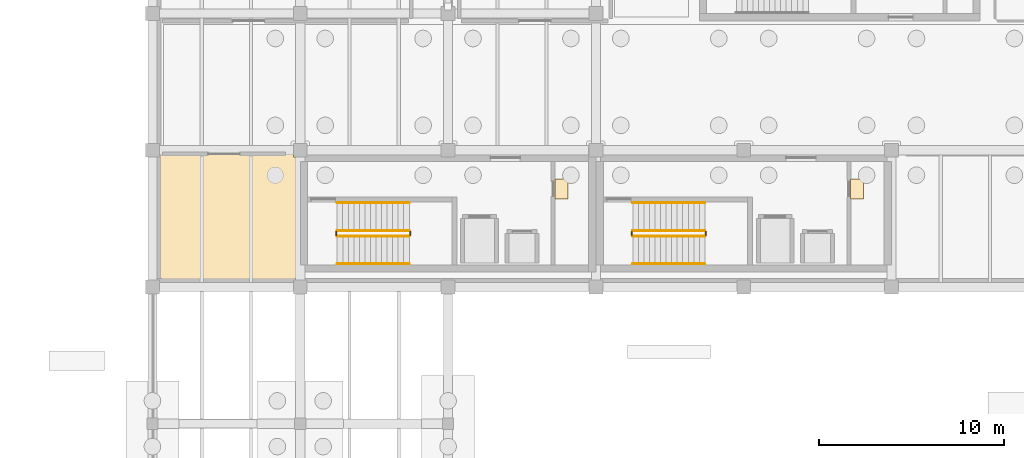
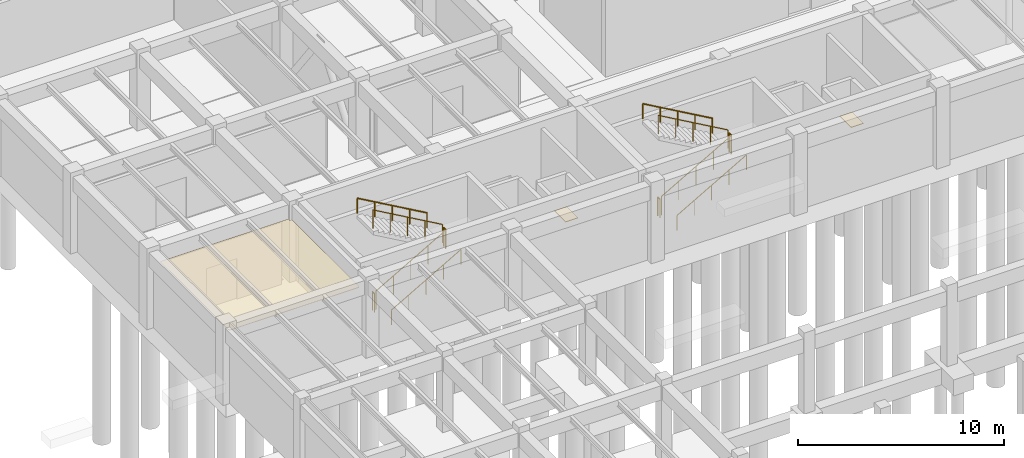
# One storey, part 28 of 40: 12 railings, 3 coverings.
"""IFC4 building model written with IfcOpenShell, lengths in metres."""

from ifc_helpers import new_model, si_unit, direction, frame, origin, origin_2d, place, context, subcontext, project, spatial, polyline, circle, outline, extrude, material, layer, layer_set, type_object, element, save


model = new_model("IFC4")

# Units and contexts
model_context = context("Model", 3, precision=1e-05, world=origin(), true_north=direction((0.0, 1.0)))
body_context = subcontext(model_context, "Body", "Model", "MODEL_VIEW")
ifc_project = project(units=[si_unit("LENGTHUNIT", "METRE"), si_unit("AREAUNIT", "SQUARE_METRE"), si_unit("VOLUMEUNIT", "CUBIC_METRE"), si_unit("PLANEANGLEUNIT", "RADIAN"), si_unit("MASSUNIT", "GRAM", prefix="KILO")], contexts=[model_context])

# Site, building, storey
site_placement = place(None, origin())
site = spatial("IfcSite", under=ifc_project, at=site_placement, CompositionType="ELEMENT")
building_placement = place(site_placement, origin())
building = spatial("IfcBuilding", under=site, at=building_placement, Name="Valkorina Park Police Headquarters", CompositionType="ELEMENT")
storey_placement = place(building_placement, frame((0.0, 0.0, -4.800048828125)))
storey = spatial("IfcBuildingStorey", under=building, at=storey_placement, Name="B01", CompositionType="ELEMENT", Elevation=-4.800048828125)

# Coverings
ifc_material_1 = material(Name="Acoustic mineral board")
ifc_layer_1 = layer(ifc_material_1, 0.02490234375)
ifc_layer_set_1 = layer_set([ifc_layer_1], Name="Acoustic mineral board")
covering_type_1 = type_object("IfcCoveringType", Name="COV-CEILING-ACOUST", PredefinedType="CEILING", material=ifc_layer_set_1)
covering_1_placement = place(storey_placement, frame((0.0, 0.0, 3.6650390625)))
element("IfcCovering", 1, at=covering_1_placement, inside=storey, type_object=covering_type_1, Name="Main Electrical Substation Acoustic Suspended Ceiling", PredefinedType="CEILING", context=body_context, shape_type="SweptSolid", body=[
    extrude(outline(polyline([(16.55859375, 37.50439453125), (16.5595703125, 37.51220703125), (16.56005859375, 37.52001953125), (16.56005859375, 43.985107421875), (16.5595703125, 43.992919921875), (16.55859375, 44.00048828125), (16.556640625, 44.00830078125), (16.553955078125, 44.015625), (16.550537109375, 44.022705078125), (16.54931640625, 44.02490234375), (16.425048828125, 44.02490234375), (16.425048828125, 44.149169921875), (16.422607421875, 44.150634765625), (16.41552734375, 44.15380859375), (16.408203125, 44.156494140625), (16.400634765625, 44.158447265625), (16.392822265625, 44.15966796875), (16.385009765625, 44.159912109375), (9.320068359375, 44.159912109375), (9.312255859375, 44.15966796875), (9.304443359375, 44.158447265625), (9.296875, 44.156494140625), (9.289306640625, 44.15380859375), (9.2822265625, 44.150634765625), (9.275634765625, 44.146484375), (9.269287109375, 44.141845703125), (9.263427734375, 44.13671875), (9.25830078125, 44.130859375), (9.25341796875, 44.12451171875), (9.24951171875, 44.11767578125), (9.24609375, 44.110595703125), (9.243408203125, 44.103271484375), (9.241455078125, 44.095703125), (9.240478515625, 44.087890625), (9.239990234375, 44.080078125), (9.239990234375, 37.52001953125), (9.240478515625, 37.51220703125), (9.241455078125, 37.50439453125), (9.243408203125, 37.496826171875), (9.24609375, 37.489501953125), (9.24951171875, 37.482421875), (9.25341796875, 37.4755859375), (9.25830078125, 37.46923828125), (9.263427734375, 37.46337890625), (9.269287109375, 37.458251953125), (9.275634765625, 37.45361328125), (9.2822265625, 37.449462890625), (9.289306640625, 37.446044921875), (9.296875, 37.443359375), (9.304443359375, 37.44140625), (9.312255859375, 37.4404296875), (9.320068359375, 37.43994140625), (16.47998046875, 37.43994140625), (16.48779296875, 37.4404296875), (16.49560546875, 37.44140625), (16.503173828125, 37.443359375), (16.510498046875, 37.446044921875), (16.517578125, 37.449462890625), (16.5244140625, 37.45361328125), (16.53076171875, 37.458251953125), (16.53662109375, 37.46337890625), (16.541748046875, 37.46923828125), (16.54638671875, 37.4755859375), (16.550537109375, 37.482421875), (16.553955078125, 37.489501953125), (16.556640625, 37.496826171875), (16.55859375, 37.50439453125)])), origin(), (0.0, 0.0, 1.0), 0.02490234375),
])
ifc_material_2 = material(Name="Resin terrazzo flooring")
ifc_layer_2 = layer(ifc_material_2, 0.030029296875)
ifc_layer_set_2 = layer_set([ifc_layer_2], Name="Resin terrazzo flooring")
covering_type_2 = type_object("IfcCoveringType", Name="COV-FLOOR-TERRAZZO", PredefinedType="FLOORING", material=ifc_layer_set_2)
covering_2_placement = place(storey_placement, origin())
element("IfcCovering", 2, at=covering_2_placement, inside=storey, type_object=covering_type_2, Name="Core C1 B01 Riser Inspection Threshold Grate", PredefinedType="FLOORING", context=body_context, shape_type="SweptSolid", body=[
    extrude(outline(polyline([(31.280029296875, 41.75), (31.280029296875, 42.85009765625), (30.580078125, 42.85009765625), (30.580078125, 41.75), (31.280029296875, 41.75)])), origin(), (0.0, 0.0, 1.0), 0.030029296875),
])
covering_3_placement = place(storey_placement, origin())
element("IfcCovering", 3, at=covering_3_placement, inside=storey, type_object=covering_type_2, Name="Core C2 B01 Riser Inspection Threshold Grate", PredefinedType="FLOORING", context=body_context, shape_type="SweptSolid", body=[
    extrude(outline(polyline([(47.280029296875, 41.75), (47.280029296875, 42.85009765625), (46.580078125, 42.85009765625), (46.580078125, 41.75), (47.280029296875, 41.75)])), origin(), (0.0, 0.0, 1.0), 0.030029296875),
])

# Railings
ifc_material_3 = material(Name="Stainless steel EN 1.4404", Category="steel")
railing_type_1 = type_object("IfcRailingType", Name="RL-GUARD-INT-1100", PredefinedType="BALUSTRADE", material=ifc_material_3)
railing_1_placement = place(storey_placement, frame((18.800048828125, 39.75, 0.17138671875)))
element("IfcRailing", 4, at=railing_1_placement, inside=storey, type_object=railing_type_1, Name="B01 Core C1 Stair Guard 1", PredefinedType="BALUSTRADE", context=body_context, shape_type="SweptSolid", body=[
    extrude(circle(Radius=0.02392578125, at=origin_2d()), frame((0.0, 0.0, 1.09619140625), z_axis=(0.868219727965, 0.0, 0.496179910892), x_axis=(0.0, 1.0, 0.0)), (0.0, 0.0, 1.0), 4.491943359375),
    extrude(circle(Radius=0.02099609375, at=origin_2d()), origin(), (0.0, 0.0, 1.0), 1.072021484375),
    extrude(circle(Radius=0.02099609375, at=origin_2d()), frame((0.97509765625, 0.0, 0.55712890625)), (0.0, 0.0, 1.0), 1.072021484375),
    extrude(circle(Radius=0.02099609375, at=origin_2d()), frame((1.949951171875, 0.0, 1.1142578125)), (0.0, 0.0, 1.0), 1.072021484375),
    extrude(circle(Radius=0.02099609375, at=origin_2d()), frame((2.9248046875, 0.0, 1.671630859375)), (0.0, 0.0, 1.0), 1.072021484375),
    extrude(circle(Radius=0.02099609375, at=origin_2d()), frame((3.89990234375, 0.0, 2.228759765625)), (0.0, 0.0, 1.0), 1.072021484375),
])
railing_2_placement = place(storey_placement, frame((22.75, 39.800048828125, 2.400146484375)))
element("IfcRailing", 5, at=railing_2_placement, inside=storey, type_object=railing_type_1, Name="B01 Core C1 Stair Guard 2", PredefinedType="BALUSTRADE", context=body_context, shape_type="SweptSolid", body=[
    extrude(circle(Radius=0.02392578125, at=origin_2d()), frame((0.0, 0.0, 1.09619140625), z_axis=(0.0, 1.0, 0.0), x_axis=(-1.0, 0.0, 0.0)), (0.0, 0.0, 1.0), 0.199951171875),
    extrude(circle(Radius=0.02099609375, at=origin_2d()), origin(), (0.0, 0.0, 1.0), 1.072021484375),
    extrude(circle(Radius=0.02099609375, at=origin_2d()), frame((0.0, 0.199951171875, 0.0)), (0.0, 0.0, 1.0), 1.072021484375),
])
railing_3_placement = place(storey_placement, frame((22.699951171875, 40.050048828125, 2.571533203125)))
element("IfcRailing", 6, at=railing_3_placement, inside=storey, type_object=railing_type_1, Name="B01 Core C1 Stair Guard 3", PredefinedType="BALUSTRADE", context=body_context, shape_type="SweptSolid", body=[
    extrude(circle(Radius=0.02392578125, at=origin_2d()), frame((0.0, 0.0, 1.09619140625), z_axis=(-0.868243142124, 0.0, 0.496138938357), x_axis=(0.0, -1.0, 0.0)), (0.0, 0.0, 1.0), 4.49169921875),
    extrude(circle(Radius=0.02099609375, at=origin_2d()), origin(), (0.0, 0.0, 1.0), 1.072021484375),
    extrude(circle(Radius=0.02099609375, at=origin_2d()), frame((-0.97509765625, 0.0, 0.55712890625)), (0.0, 0.0, 1.0), 1.072021484375),
    extrude(circle(Radius=0.02099609375, at=origin_2d()), frame((-1.949951171875, 0.0, 1.1142578125)), (0.0, 0.0, 1.0), 1.072021484375),
    extrude(circle(Radius=0.02099609375, at=origin_2d()), frame((-2.9248046875, 0.0, 1.67138671875)), (0.0, 0.0, 1.0), 1.072021484375),
    extrude(circle(Radius=0.02099609375, at=origin_2d()), frame((-3.89990234375, 0.0, 2.228515625)), (0.0, 0.0, 1.0), 1.072021484375),
])
railing_4_placement = place(storey_placement, frame((18.75, 39.800048828125, 0.0)))
element("IfcRailing", 7, at=railing_4_placement, inside=storey, type_object=railing_type_1, Name="B01 Core C1 Stair Guard 4", PredefinedType="BALUSTRADE", context=body_context, shape_type="SweptSolid", body=[
    extrude(circle(Radius=0.02392578125, at=origin_2d()), frame((0.0, 0.0, 1.09619140625), z_axis=(0.0, 1.0, 0.0), x_axis=(-1.0, 0.0, 0.0)), (0.0, 0.0, 1.0), 0.199951171875),
    extrude(circle(Radius=0.02099609375, at=origin_2d()), origin(), (0.0, 0.0, 1.0), 1.072021484375),
    extrude(circle(Radius=0.02099609375, at=origin_2d()), frame((0.0, 0.199951171875, 0.0)), (0.0, 0.0, 1.0), 1.072021484375),
])
railing_5_placement = place(storey_placement, frame((34.800048828125, 39.75, 0.17138671875)))
element("IfcRailing", 8, at=railing_5_placement, inside=storey, type_object=railing_type_1, Name="B01 Core C2 Stair Guard 1", PredefinedType="BALUSTRADE", context=body_context, shape_type="SweptSolid", body=[
    extrude(circle(Radius=0.02392578125, at=origin_2d()), frame((0.0, 0.0, 1.09619140625), z_axis=(0.868219727965, 0.0, 0.496179910892), x_axis=(0.0, 1.0, 0.0)), (0.0, 0.0, 1.0), 4.491943359375),
    extrude(circle(Radius=0.02099609375, at=origin_2d()), origin(), (0.0, 0.0, 1.0), 1.072021484375),
    extrude(circle(Radius=0.02099609375, at=origin_2d()), frame((0.97509765625, 0.0, 0.55712890625)), (0.0, 0.0, 1.0), 1.072021484375),
    extrude(circle(Radius=0.02099609375, at=origin_2d()), frame((1.949951171875, 0.0, 1.1142578125)), (0.0, 0.0, 1.0), 1.072021484375),
    extrude(circle(Radius=0.02099609375, at=origin_2d()), frame((2.9248046875, 0.0, 1.671630859375)), (0.0, 0.0, 1.0), 1.072021484375),
    extrude(circle(Radius=0.02099609375, at=origin_2d()), frame((3.89990234375, 0.0, 2.228759765625)), (0.0, 0.0, 1.0), 1.072021484375),
])
railing_6_placement = place(storey_placement, frame((38.75, 39.800048828125, 2.400146484375)))
element("IfcRailing", 9, at=railing_6_placement, inside=storey, type_object=railing_type_1, Name="B01 Core C2 Stair Guard 2", PredefinedType="BALUSTRADE", context=body_context, shape_type="SweptSolid", body=[
    extrude(circle(Radius=0.02392578125, at=origin_2d()), frame((0.0, 0.0, 1.09619140625), z_axis=(0.0, 1.0, 0.0), x_axis=(-1.0, 0.0, 0.0)), (0.0, 0.0, 1.0), 0.199951171875),
    extrude(circle(Radius=0.02099609375, at=origin_2d()), origin(), (0.0, 0.0, 1.0), 1.072021484375),
    extrude(circle(Radius=0.02099609375, at=origin_2d()), frame((0.0, 0.199951171875, 0.0)), (0.0, 0.0, 1.0), 1.072021484375),
])
railing_7_placement = place(storey_placement, frame((38.699951171875, 40.050048828125, 2.571533203125)))
element("IfcRailing", 10, at=railing_7_placement, inside=storey, type_object=railing_type_1, Name="B01 Core C2 Stair Guard 3", PredefinedType="BALUSTRADE", context=body_context, shape_type="SweptSolid", body=[
    extrude(circle(Radius=0.02392578125, at=origin_2d()), frame((0.0, 0.0, 1.09619140625), z_axis=(-0.868243142124, 0.0, 0.496138938357), x_axis=(0.0, -1.0, 0.0)), (0.0, 0.0, 1.0), 4.49169921875),
    extrude(circle(Radius=0.02099609375, at=origin_2d()), origin(), (0.0, 0.0, 1.0), 1.072021484375),
    extrude(circle(Radius=0.02099609375, at=origin_2d()), frame((-0.97509765625, 0.0, 0.55712890625)), (0.0, 0.0, 1.0), 1.072021484375),
    extrude(circle(Radius=0.02099609375, at=origin_2d()), frame((-1.949951171875, 0.0, 1.1142578125)), (0.0, 0.0, 1.0), 1.072021484375),
    extrude(circle(Radius=0.02099609375, at=origin_2d()), frame((-2.9248046875, 0.0, 1.67138671875)), (0.0, 0.0, 1.0), 1.072021484375),
    extrude(circle(Radius=0.02099609375, at=origin_2d()), frame((-3.89990234375, 0.0, 2.228515625)), (0.0, 0.0, 1.0), 1.072021484375),
])
railing_8_placement = place(storey_placement, frame((34.75, 39.800048828125, 0.0)))
element("IfcRailing", 11, at=railing_8_placement, inside=storey, type_object=railing_type_1, Name="B01 Core C2 Stair Guard 4", PredefinedType="BALUSTRADE", context=body_context, shape_type="SweptSolid", body=[
    extrude(circle(Radius=0.02392578125, at=origin_2d()), frame((0.0, 0.0, 1.09619140625), z_axis=(0.0, 1.0, 0.0), x_axis=(-1.0, 0.0, 0.0)), (0.0, 0.0, 1.0), 0.199951171875),
    extrude(circle(Radius=0.02099609375, at=origin_2d()), origin(), (0.0, 0.0, 1.0), 1.072021484375),
    extrude(circle(Radius=0.02099609375, at=origin_2d()), frame((0.0, 0.199951171875, 0.0)), (0.0, 0.0, 1.0), 1.072021484375),
])
railing_type_2 = type_object("IfcRailingType", Name="RL-HANDRAIL-900", PredefinedType="HANDRAIL", material=ifc_material_3)
railing_9_placement = place(storey_placement, frame((18.800048828125, 38.25, 0.17138671875)))
element("IfcRailing", 12, at=railing_9_placement, inside=storey, type_object=railing_type_2, Name="B01 Core C1 Stair Handrail 1", PredefinedType="HANDRAIL", context=body_context, shape_type="SweptSolid", body=[
    extrude(circle(Radius=0.02392578125, at=origin_2d()), frame((0.0, 0.0, 0.8759765625), z_axis=(0.868219727965, 0.0, 0.496179910892), x_axis=(0.0, 1.0, 0.0)), (0.0, 0.0, 1.0), 4.491943359375),
    extrude(circle(Radius=0.02099609375, at=origin_2d()), origin(), (0.0, 0.0, 1.0), 0.851806640625),
    extrude(circle(Radius=0.02099609375, at=origin_2d()), frame((0.97509765625, 0.0, 0.55712890625)), (0.0, 0.0, 1.0), 0.851806640625),
    extrude(circle(Radius=0.02099609375, at=origin_2d()), frame((1.949951171875, 0.0, 1.1142578125)), (0.0, 0.0, 1.0), 0.851806640625),
    extrude(circle(Radius=0.02099609375, at=origin_2d()), frame((2.9248046875, 0.0, 1.671630859375)), (0.0, 0.0, 1.0), 0.851806640625),
    extrude(circle(Radius=0.02099609375, at=origin_2d()), frame((3.89990234375, 0.0, 2.228759765625)), (0.0, 0.0, 1.0), 0.851806640625),
])
railing_10_placement = place(storey_placement, frame((22.699951171875, 41.550048828125, 2.571533203125)))
element("IfcRailing", 13, at=railing_10_placement, inside=storey, type_object=railing_type_2, Name="B01 Core C1 Stair Handrail 2", PredefinedType="HANDRAIL", context=body_context, shape_type="SweptSolid", body=[
    extrude(circle(Radius=0.02392578125, at=origin_2d()), frame((0.0, 0.0, 0.8759765625), z_axis=(-0.868243142124, 0.0, 0.496138938357), x_axis=(0.0, -1.0, 0.0)), (0.0, 0.0, 1.0), 4.49169921875),
    extrude(circle(Radius=0.02099609375, at=origin_2d()), origin(), (0.0, 0.0, 1.0), 0.851806640625),
    extrude(circle(Radius=0.02099609375, at=origin_2d()), frame((-0.97509765625, 0.0, 0.55712890625)), (0.0, 0.0, 1.0), 0.851806640625),
    extrude(circle(Radius=0.02099609375, at=origin_2d()), frame((-1.949951171875, 0.0, 1.1142578125)), (0.0, 0.0, 1.0), 0.851806640625),
    extrude(circle(Radius=0.02099609375, at=origin_2d()), frame((-2.9248046875, 0.0, 1.67138671875)), (0.0, 0.0, 1.0), 0.851806640625),
    extrude(circle(Radius=0.02099609375, at=origin_2d()), frame((-3.89990234375, 0.0, 2.228515625)), (0.0, 0.0, 1.0), 0.851806640625),
])
railing_11_placement = place(storey_placement, frame((34.800048828125, 38.25, 0.17138671875)))
element("IfcRailing", 14, at=railing_11_placement, inside=storey, type_object=railing_type_2, Name="B01 Core C2 Stair Handrail 1", PredefinedType="HANDRAIL", context=body_context, shape_type="SweptSolid", body=[
    extrude(circle(Radius=0.02392578125, at=origin_2d()), frame((0.0, 0.0, 0.8759765625), z_axis=(0.868219727965, 0.0, 0.496179910892), x_axis=(0.0, 1.0, 0.0)), (0.0, 0.0, 1.0), 4.491943359375),
    extrude(circle(Radius=0.02099609375, at=origin_2d()), origin(), (0.0, 0.0, 1.0), 0.851806640625),
    extrude(circle(Radius=0.02099609375, at=origin_2d()), frame((0.97509765625, 0.0, 0.55712890625)), (0.0, 0.0, 1.0), 0.851806640625),
    extrude(circle(Radius=0.02099609375, at=origin_2d()), frame((1.949951171875, 0.0, 1.1142578125)), (0.0, 0.0, 1.0), 0.851806640625),
    extrude(circle(Radius=0.02099609375, at=origin_2d()), frame((2.9248046875, 0.0, 1.671630859375)), (0.0, 0.0, 1.0), 0.851806640625),
    extrude(circle(Radius=0.02099609375, at=origin_2d()), frame((3.89990234375, 0.0, 2.228759765625)), (0.0, 0.0, 1.0), 0.851806640625),
])
railing_12_placement = place(storey_placement, frame((38.699951171875, 41.550048828125, 2.571533203125)))
element("IfcRailing", 15, at=railing_12_placement, inside=storey, type_object=railing_type_2, Name="B01 Core C2 Stair Handrail 2", PredefinedType="HANDRAIL", context=body_context, shape_type="SweptSolid", body=[
    extrude(circle(Radius=0.02392578125, at=origin_2d()), frame((0.0, 0.0, 0.8759765625), z_axis=(-0.868243142124, 0.0, 0.496138938357), x_axis=(0.0, -1.0, 0.0)), (0.0, 0.0, 1.0), 4.49169921875),
    extrude(circle(Radius=0.02099609375, at=origin_2d()), origin(), (0.0, 0.0, 1.0), 0.851806640625),
    extrude(circle(Radius=0.02099609375, at=origin_2d()), frame((-0.97509765625, 0.0, 0.55712890625)), (0.0, 0.0, 1.0), 0.851806640625),
    extrude(circle(Radius=0.02099609375, at=origin_2d()), frame((-1.949951171875, 0.0, 1.1142578125)), (0.0, 0.0, 1.0), 0.851806640625),
    extrude(circle(Radius=0.02099609375, at=origin_2d()), frame((-2.9248046875, 0.0, 1.67138671875)), (0.0, 0.0, 1.0), 0.851806640625),
    extrude(circle(Radius=0.02099609375, at=origin_2d()), frame((-3.89990234375, 0.0, 2.228515625)), (0.0, 0.0, 1.0), 0.851806640625),
])

save(model, "model.ifc")
